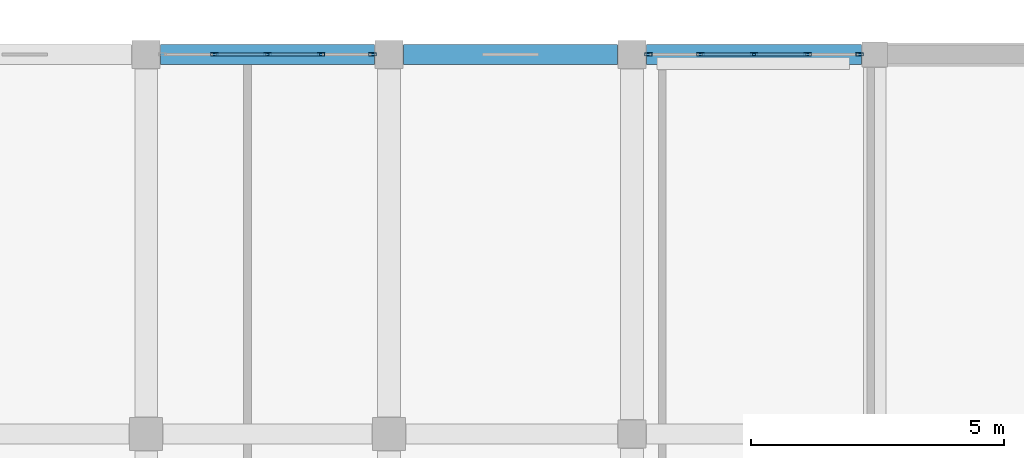
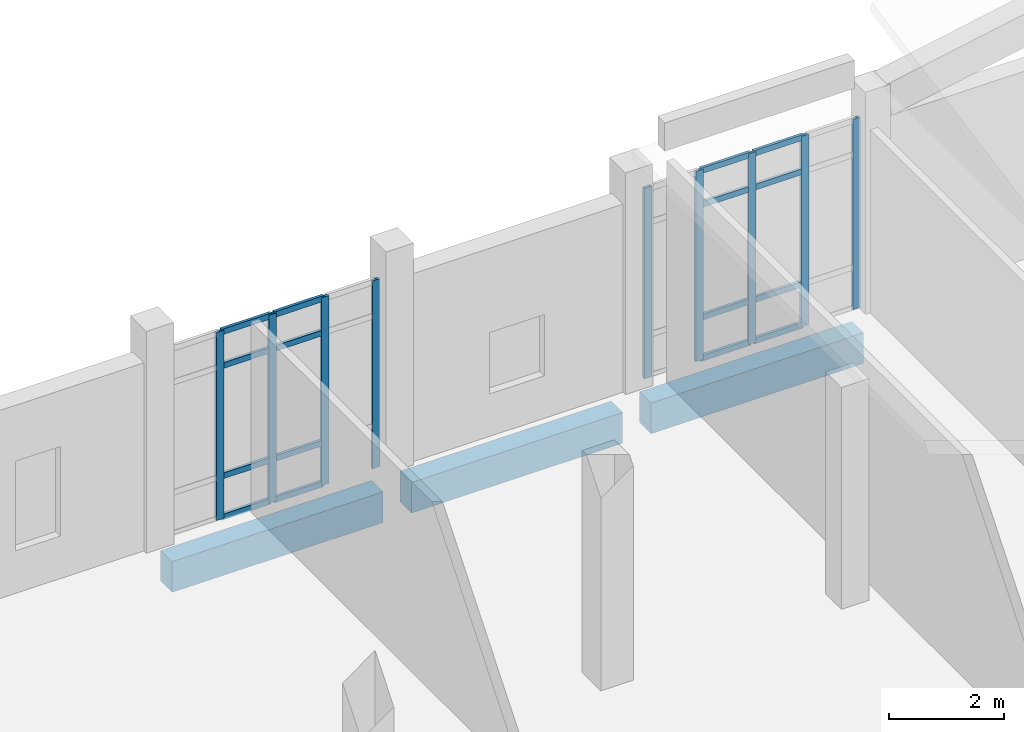
# One storey, part 89 of 173: 25 members, 3 beams, 2 elements without a shape of their own.
"""IFC4 building model written with IfcOpenShell, lengths in metres."""

from ifc_helpers import new_model, si_unit, direction, frame, origin, origin_2d, place, context, subcontext, project, spatial, rectangle, hollow_rectangle, extrude, material, layer, layer_set, material_profile, profile_set, type_object, element, aggregate, save


model = new_model("IFC4")

# Units and contexts
model_context = context("Model", 3, precision=1e-05, world=origin(), true_north=direction((0.0, 1.0)))
body_context = subcontext(model_context, "Body", "Model", "MODEL_VIEW")
ifc_project = project(units=[si_unit("LENGTHUNIT", "METRE"), si_unit("AREAUNIT", "SQUARE_METRE"), si_unit("VOLUMEUNIT", "CUBIC_METRE"), si_unit("PLANEANGLEUNIT", "RADIAN"), si_unit("MASSUNIT", "GRAM", prefix="KILO")], contexts=[model_context])

# Site, building, storey
site_placement = place(None, origin())
site = spatial("IfcSite", under=ifc_project, at=site_placement, CompositionType="ELEMENT")
building_placement = place(site_placement, origin())
building = spatial("IfcBuilding", under=site, at=building_placement, Name="Mawjan Specialist Oncology Clinic", CompositionType="ELEMENT")
storey_placement = place(building_placement, origin())
storey = spatial("IfcBuildingStorey", under=building, at=storey_placement, Name="L00", CompositionType="ELEMENT", Elevation=0.0)

# Curtain wall, members
ifc_material_1 = material(Name="Unitised spectrally selective aluminium curtain wall", Category="aluminium")
ifc_layer_1 = layer(ifc_material_1, 0.179931640625, Name="Unitised spectrally selective aluminium curtain wall", Category="aluminium")
ifc_layer_set_1 = layer_set([ifc_layer_1], Name="Unitised spectrally selective aluminium curtain wall")
curtain_wall_type_1 = type_object("IfcCurtainWallType", Name="CW-13", PredefinedType="NOTDEFINED", material=ifc_layer_set_1)
curtain_wall_1_placement = place(storey_placement, origin())
curtain_wall_1 = element("IfcCurtainWall", 1, at=curtain_wall_1_placement, inside=storey, type_object=curtain_wall_type_1, Name="L00 Unitised Curtain Wall CW-L00-025", PredefinedType="NOTDEFINED")
ifc_material_2 = material(Name="Thermally broken aluminium 6063-T6", Category="aluminium")
ifc_material_profile_1 = material_profile(ifc_material_2, hollow_rectangle(XDim=0.06005859375, YDim=0.14990234375, WallThickness=0.00390625, at=origin_2d()), Name="ALU MULLION 150x60x4", Category="aluminium")
ifc_profile_set_1 = profile_set([ifc_material_profile_1], Name="Thermally broken aluminium 6063-T6")
member_type_1 = type_object("IfcMemberType", Name="CW-M150", PredefinedType="MULLION", material=ifc_profile_set_1)
member_1_placement = place(storey_placement, frame((94.947509765625, 113.300048828125, 0.0), z_axis=(0.0, 0.0, 1.0), x_axis=(0.0, 1.0, 0.0)))
member_1 = element("IfcMember", 2, at=member_1_placement, type_object=member_type_1, Name="CW-13 mullion 2", PredefinedType="MULLION", context=body_context, shape_type="SweptSolid", body=[
    extrude(hollow_rectangle(XDim=0.06005859375, YDim=0.14990234375, WallThickness=0.00390625, at=origin_2d()), origin(), (0.0, 0.0, 1.0), 3.985107421875),
])
member_2_placement = place(storey_placement, frame((96.0, 113.300048828125, 0.0), z_axis=(0.0, 0.0, 1.0), x_axis=(0.0, 1.0, 0.0)))
member_2 = element("IfcMember", 3, at=member_2_placement, type_object=member_type_1, Name="CW-13 mullion 3", PredefinedType="MULLION", context=body_context, shape_type="SweptSolid", body=[
    extrude(hollow_rectangle(XDim=0.06005859375, YDim=0.14990234375, WallThickness=0.00390625, at=origin_2d()), origin(), (0.0, 0.0, 1.0), 3.985107421875),
])
member_3_placement = place(storey_placement, frame((97.052490234375, 113.300048828125, 0.0), z_axis=(0.0, 0.0, 1.0), x_axis=(0.0, 1.0, 0.0)))
member_3 = element("IfcMember", 4, at=member_3_placement, type_object=member_type_1, Name="CW-13 mullion 4", PredefinedType="MULLION", context=body_context, shape_type="SweptSolid", body=[
    extrude(hollow_rectangle(XDim=0.06005859375, YDim=0.14990234375, WallThickness=0.00390625, at=origin_2d()), origin(), (0.0, 0.0, 1.0), 3.985107421875),
])
member_4_placement = place(storey_placement, frame((98.074951171875, 113.300048828125, 0.0), z_axis=(0.0, 0.0, 1.0), x_axis=(0.0, 1.0, 0.0)))
member_4 = element("IfcMember", 5, at=member_4_placement, type_object=member_type_1, Name="CW-13 mullion 5", PredefinedType="MULLION", context=body_context, shape_type="SweptSolid", body=[
    extrude(hollow_rectangle(XDim=0.06005859375, YDim=0.14990234375, WallThickness=0.00390625, at=origin_2d()), origin(), (0.0, 0.0, 1.0), 3.985107421875),
])

ifc_material_3 = material(Name="Unitised spectrally selective aluminium curtain wall", Category="aluminium")
ifc_layer_2 = layer(ifc_material_3, 0.179931640625, Name="Unitised spectrally selective aluminium curtain wall", Category="aluminium")
ifc_layer_set_2 = layer_set([ifc_layer_2], Name="Unitised spectrally selective aluminium curtain wall")
curtain_wall_type_2 = type_object("IfcCurtainWallType", Name="CW-14", PredefinedType="NOTDEFINED", material=ifc_layer_set_2)
curtain_wall_2_placement = place(storey_placement, origin())
curtain_wall_2 = element("IfcCurtainWall", 6, at=curtain_wall_2_placement, inside=storey, type_object=curtain_wall_type_2, Name="L00 Unitised Curtain Wall CW-L00-026", PredefinedType="NOTDEFINED")
member_5_placement = place(storey_placement, frame((103.52490234375, 113.300048828125, 0.0), z_axis=(0.0, 0.0, 1.0), x_axis=(0.0, 1.0, 0.0)))
member_5 = element("IfcMember", 7, at=member_5_placement, type_object=member_type_1, Name="CW-14 mullion 1", PredefinedType="MULLION", context=body_context, shape_type="SweptSolid", body=[
    extrude(hollow_rectangle(XDim=0.06005859375, YDim=0.14990234375, WallThickness=0.00390625, at=origin_2d()), origin(), (0.0, 0.0, 1.0), 4.034912109375),
])
member_6_placement = place(storey_placement, frame((104.5537109375, 113.300048828125, 0.0), z_axis=(0.0, 0.0, 1.0), x_axis=(0.0, 1.0, 0.0)))
member_6 = element("IfcMember", 8, at=member_6_placement, type_object=member_type_1, Name="CW-14 mullion 2", PredefinedType="MULLION", context=body_context, shape_type="SweptSolid", body=[
    extrude(hollow_rectangle(XDim=0.06005859375, YDim=0.14990234375, WallThickness=0.00390625, at=origin_2d()), origin(), (0.0, 0.0, 1.0), 4.034912109375),
])
member_7_placement = place(storey_placement, frame((105.612548828125, 113.300048828125, 0.0), z_axis=(0.0, 0.0, 1.0), x_axis=(0.0, 1.0, 0.0)))
member_7 = element("IfcMember", 9, at=member_7_placement, type_object=member_type_1, Name="CW-14 mullion 3", PredefinedType="MULLION", context=body_context, shape_type="SweptSolid", body=[
    extrude(hollow_rectangle(XDim=0.06005859375, YDim=0.14990234375, WallThickness=0.00390625, at=origin_2d()), origin(), (0.0, 0.0, 1.0), 4.034912109375),
])
member_8_placement = place(storey_placement, frame((106.671142578125, 113.300048828125, 0.0), z_axis=(0.0, 0.0, 1.0), x_axis=(0.0, 1.0, 0.0)))
member_8 = element("IfcMember", 10, at=member_8_placement, type_object=member_type_1, Name="CW-14 mullion 4", PredefinedType="MULLION", context=body_context, shape_type="SweptSolid", body=[
    extrude(hollow_rectangle(XDim=0.06005859375, YDim=0.14990234375, WallThickness=0.00390625, at=origin_2d()), origin(), (0.0, 0.0, 1.0), 4.034912109375),
])
member_9_placement = place(storey_placement, frame((107.699951171875, 113.300048828125, 0.0), z_axis=(0.0, 0.0, 1.0), x_axis=(0.0, 1.0, 0.0)))
member_9 = element("IfcMember", 11, at=member_9_placement, type_object=member_type_1, Name="CW-14 mullion 5", PredefinedType="MULLION", context=body_context, shape_type="SweptSolid", body=[
    extrude(hollow_rectangle(XDim=0.06005859375, YDim=0.14990234375, WallThickness=0.00390625, at=origin_2d()), origin(), (0.0, 0.0, 1.0), 4.034912109375),
])

# Member
ifc_material_4 = material(Name="Thermally broken aluminium 6063-T6", Category="aluminium")
ifc_material_profile_2 = material_profile(ifc_material_4, hollow_rectangle(XDim=0.06005859375, YDim=0.1201171875, WallThickness=0.00390625, at=origin_2d()), Name="ALU TRANSOM 120x60x4", Category="aluminium")
ifc_profile_set_2 = profile_set([ifc_material_profile_2], Name="Thermally broken aluminium 6063-T6")
member_type_2 = type_object("IfcMemberType", Name="CW-T120", PredefinedType="USERDEFINED", material=ifc_profile_set_2)
member_10_placement = place(storey_placement, frame((94.9775390625, 113.300048828125, 0.030029296875), z_axis=(1.0, 0.0, 0.0), x_axis=(0.0, 1.0, 0.0)))
member_10 = element("IfcMember", 12, at=member_10_placement, type_object=member_type_2, Name="CW-13 transom 2.1", ObjectType="TRANSOM", PredefinedType="USERDEFINED", context=body_context, shape_type="SweptSolid", body=[
    extrude(hollow_rectangle(XDim=0.06005859375, YDim=0.1201171875, WallThickness=0.00390625, at=origin_2d()), origin(), (0.0, 0.0, 1.0), 0.992431640625),
])

member_11_placement = place(storey_placement, frame((94.9775390625, 113.300048828125, 0.89990234375), z_axis=(1.0, 0.0, 0.0), x_axis=(0.0, 1.0, 0.0)))
member_11 = element("IfcMember", 13, at=member_11_placement, type_object=member_type_2, Name="CW-13 transom 2.2", ObjectType="TRANSOM", PredefinedType="USERDEFINED", context=body_context, shape_type="SweptSolid", body=[
    extrude(hollow_rectangle(XDim=0.06005859375, YDim=0.1201171875, WallThickness=0.00390625, at=origin_2d()), origin(), (0.0, 0.0, 1.0), 0.992431640625),
])

member_12_placement = place(storey_placement, frame((94.9775390625, 113.300048828125, 3.235107421875), z_axis=(1.0, 0.0, 0.0), x_axis=(0.0, 1.0, 0.0)))
member_12 = element("IfcMember", 14, at=member_12_placement, type_object=member_type_2, Name="CW-13 transom 2.3", ObjectType="TRANSOM", PredefinedType="USERDEFINED", context=body_context, shape_type="SweptSolid", body=[
    extrude(hollow_rectangle(XDim=0.06005859375, YDim=0.1201171875, WallThickness=0.00390625, at=origin_2d()), origin(), (0.0, 0.0, 1.0), 0.992431640625),
])

member_13_placement = place(storey_placement, frame((94.9775390625, 113.300048828125, 3.955078125), z_axis=(1.0, 0.0, 0.0), x_axis=(0.0, 1.0, 0.0)))
member_13 = element("IfcMember", 15, at=member_13_placement, type_object=member_type_2, Name="CW-13 transom 2.4", ObjectType="TRANSOM", PredefinedType="USERDEFINED", context=body_context, shape_type="SweptSolid", body=[
    extrude(hollow_rectangle(XDim=0.06005859375, YDim=0.1201171875, WallThickness=0.00390625, at=origin_2d()), origin(), (0.0, 0.0, 1.0), 0.992431640625),
])

member_14_placement = place(storey_placement, frame((96.030029296875, 113.300048828125, 0.030029296875), z_axis=(1.0, 0.0, 0.0), x_axis=(0.0, 1.0, 0.0)))
member_14 = element("IfcMember", 16, at=member_14_placement, type_object=member_type_2, Name="CW-13 transom 3.1", ObjectType="TRANSOM", PredefinedType="USERDEFINED", context=body_context, shape_type="SweptSolid", body=[
    extrude(hollow_rectangle(XDim=0.06005859375, YDim=0.1201171875, WallThickness=0.00390625, at=origin_2d()), origin(), (0.0, 0.0, 1.0), 0.992431640625),
])

member_15_placement = place(storey_placement, frame((96.030029296875, 113.300048828125, 0.89990234375), z_axis=(1.0, 0.0, 0.0), x_axis=(0.0, 1.0, 0.0)))
member_15 = element("IfcMember", 17, at=member_15_placement, type_object=member_type_2, Name="CW-13 transom 3.2", ObjectType="TRANSOM", PredefinedType="USERDEFINED", context=body_context, shape_type="SweptSolid", body=[
    extrude(hollow_rectangle(XDim=0.06005859375, YDim=0.1201171875, WallThickness=0.00390625, at=origin_2d()), origin(), (0.0, 0.0, 1.0), 0.992431640625),
])

member_16_placement = place(storey_placement, frame((96.030029296875, 113.300048828125, 3.235107421875), z_axis=(1.0, 0.0, 0.0), x_axis=(0.0, 1.0, 0.0)))
member_16 = element("IfcMember", 18, at=member_16_placement, type_object=member_type_2, Name="CW-13 transom 3.3", ObjectType="TRANSOM", PredefinedType="USERDEFINED", context=body_context, shape_type="SweptSolid", body=[
    extrude(hollow_rectangle(XDim=0.06005859375, YDim=0.1201171875, WallThickness=0.00390625, at=origin_2d()), origin(), (0.0, 0.0, 1.0), 0.992431640625),
])

member_17_placement = place(storey_placement, frame((96.030029296875, 113.300048828125, 3.955078125), z_axis=(1.0, 0.0, 0.0), x_axis=(0.0, 1.0, 0.0)))
member_17 = element("IfcMember", 19, at=member_17_placement, type_object=member_type_2, Name="CW-13 transom 3.4", ObjectType="TRANSOM", PredefinedType="USERDEFINED", context=body_context, shape_type="SweptSolid", body=[
    extrude(hollow_rectangle(XDim=0.06005859375, YDim=0.1201171875, WallThickness=0.00390625, at=origin_2d()), origin(), (0.0, 0.0, 1.0), 0.992431640625),
])

aggregate(curtain_wall_1, [member_1, member_2, member_3, member_4, member_10, member_11, member_12, member_13, member_14, member_15, member_16, member_17])

member_18_placement = place(storey_placement, frame((104.583740234375, 113.300048828125, 0.030029296875), z_axis=(1.0, 0.0, 0.0), x_axis=(0.0, 1.0, 0.0)))
member_18 = element("IfcMember", 20, at=member_18_placement, type_object=member_type_2, Name="CW-14 transom 2.1", ObjectType="TRANSOM", PredefinedType="USERDEFINED", context=body_context, shape_type="SweptSolid", body=[
    extrude(hollow_rectangle(XDim=0.06005859375, YDim=0.1201171875, WallThickness=0.00390625, at=origin_2d()), origin(), (0.0, 0.0, 1.0), 0.998779296875),
])

member_19_placement = place(storey_placement, frame((104.583740234375, 113.300048828125, 0.89990234375), z_axis=(1.0, 0.0, 0.0), x_axis=(0.0, 1.0, 0.0)))
member_19 = element("IfcMember", 21, at=member_19_placement, type_object=member_type_2, Name="CW-14 transom 2.2", ObjectType="TRANSOM", PredefinedType="USERDEFINED", context=body_context, shape_type="SweptSolid", body=[
    extrude(hollow_rectangle(XDim=0.06005859375, YDim=0.1201171875, WallThickness=0.00390625, at=origin_2d()), origin(), (0.0, 0.0, 1.0), 0.998779296875),
])

member_20_placement = place(storey_placement, frame((104.583740234375, 113.300048828125, 3.284912109375), z_axis=(1.0, 0.0, 0.0), x_axis=(0.0, 1.0, 0.0)))
member_20 = element("IfcMember", 22, at=member_20_placement, type_object=member_type_2, Name="CW-14 transom 2.3", ObjectType="TRANSOM", PredefinedType="USERDEFINED", context=body_context, shape_type="SweptSolid", body=[
    extrude(hollow_rectangle(XDim=0.06005859375, YDim=0.1201171875, WallThickness=0.00390625, at=origin_2d()), origin(), (0.0, 0.0, 1.0), 0.998779296875),
])

member_21_placement = place(storey_placement, frame((104.583740234375, 113.300048828125, 4.0048828125), z_axis=(1.0, 0.0, 0.0), x_axis=(0.0, 1.0, 0.0)))
member_21 = element("IfcMember", 23, at=member_21_placement, type_object=member_type_2, Name="CW-14 transom 2.4", ObjectType="TRANSOM", PredefinedType="USERDEFINED", context=body_context, shape_type="SweptSolid", body=[
    extrude(hollow_rectangle(XDim=0.06005859375, YDim=0.1201171875, WallThickness=0.00390625, at=origin_2d()), origin(), (0.0, 0.0, 1.0), 0.998779296875),
])

member_22_placement = place(storey_placement, frame((105.642578125, 113.300048828125, 0.030029296875), z_axis=(1.0, 0.0, 0.0), x_axis=(0.0, 1.0, 0.0)))
member_22 = element("IfcMember", 24, at=member_22_placement, type_object=member_type_2, Name="CW-14 transom 3.1", ObjectType="TRANSOM", PredefinedType="USERDEFINED", context=body_context, shape_type="SweptSolid", body=[
    extrude(hollow_rectangle(XDim=0.06005859375, YDim=0.1201171875, WallThickness=0.00390625, at=origin_2d()), origin(), (0.0, 0.0, 1.0), 0.998779296875),
])

member_23_placement = place(storey_placement, frame((105.642578125, 113.300048828125, 0.89990234375), z_axis=(1.0, 0.0, 0.0), x_axis=(0.0, 1.0, 0.0)))
member_23 = element("IfcMember", 25, at=member_23_placement, type_object=member_type_2, Name="CW-14 transom 3.2", ObjectType="TRANSOM", PredefinedType="USERDEFINED", context=body_context, shape_type="SweptSolid", body=[
    extrude(hollow_rectangle(XDim=0.06005859375, YDim=0.1201171875, WallThickness=0.00390625, at=origin_2d()), origin(), (0.0, 0.0, 1.0), 0.998779296875),
])

member_24_placement = place(storey_placement, frame((105.642578125, 113.300048828125, 3.284912109375), z_axis=(1.0, 0.0, 0.0), x_axis=(0.0, 1.0, 0.0)))
member_24 = element("IfcMember", 26, at=member_24_placement, type_object=member_type_2, Name="CW-14 transom 3.3", ObjectType="TRANSOM", PredefinedType="USERDEFINED", context=body_context, shape_type="SweptSolid", body=[
    extrude(hollow_rectangle(XDim=0.06005859375, YDim=0.1201171875, WallThickness=0.00390625, at=origin_2d()), origin(), (0.0, 0.0, 1.0), 0.998779296875),
])

member_25_placement = place(storey_placement, frame((105.642578125, 113.300048828125, 4.0048828125), z_axis=(1.0, 0.0, 0.0), x_axis=(0.0, 1.0, 0.0)))
member_25 = element("IfcMember", 27, at=member_25_placement, type_object=member_type_2, Name="CW-14 transom 3.4", ObjectType="TRANSOM", PredefinedType="USERDEFINED", context=body_context, shape_type="SweptSolid", body=[
    extrude(hollow_rectangle(XDim=0.06005859375, YDim=0.1201171875, WallThickness=0.00390625, at=origin_2d()), origin(), (0.0, 0.0, 1.0), 0.998779296875),
])

aggregate(curtain_wall_2, [member_5, member_6, member_7, member_8, member_9, member_18, member_19, member_20, member_21, member_22, member_23, member_24, member_25])

# Beams
ifc_material_5 = material(Name="Concrete C45/55", Category="concrete")
ifc_material_profile_3 = material_profile(ifc_material_5, rectangle(XDim=0.39990234375, YDim=0.64990234375, at=origin_2d()), Name="RC BM 400x650", Category="concrete")
ifc_profile_set_3 = profile_set([ifc_material_profile_3], Name="Concrete C45/55")
beam_type = type_object("IfcBeamType", Name="SP-400x650", PredefinedType="SPANDREL", material=ifc_profile_set_3)
for number, where, z_axis, x_axis, name in (
    (28, (93.885009765625, 113.300048828125, -0.7451171875), (1.0, 0.0, 0.0), (0.0, 1.0, 0.0), "L00 Spandrel Beam BM-L00-0111"),
    (29, (98.68505859375, 113.300048828125, -0.7451171875), (1.0, 0.0, 0.0), (0.0, 1.0, 0.0), "L00 Spandrel Beam BM-L00-0112"),
):
    element("IfcBeam", number, at=place(storey_placement, frame(where, z_axis=z_axis, x_axis=x_axis)), inside=storey, type_object=beam_type, Name=name, PredefinedType="SPANDREL", context=body_context, shape_type="SweptSolid", body=[
        extrude(rectangle(XDim=0.39990234375, YDim=0.64990234375, at=origin_2d()), origin(), (0.0, 0.0, 1.0), 4.22998046875),
    ])
beam_placement = place(storey_placement, frame((103.485107421875, 113.300048828125, -0.7451171875), z_axis=(1.0, 0.0, 0.0), x_axis=(0.0, 1.0, 0.0)))
element("IfcBeam", 30, at=beam_placement, inside=storey, type_object=beam_type, Name="L00 Spandrel Beam BM-L00-0113", PredefinedType="SPANDREL", context=body_context, shape_type="SweptSolid", body=[
    extrude(rectangle(XDim=0.39990234375, YDim=0.64990234375, at=origin_2d()), origin(), (0.0, 0.0, 1.0), 4.2548828125),
])

save(model, "model.ifc")
